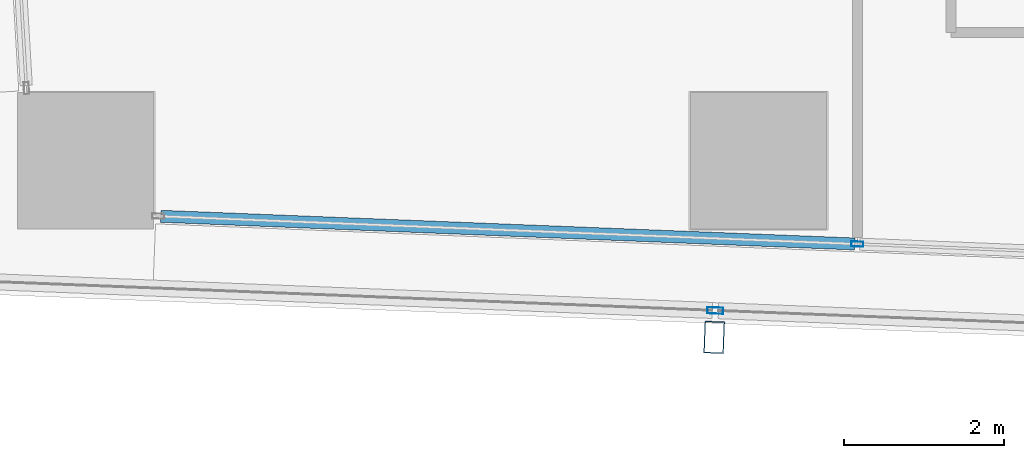
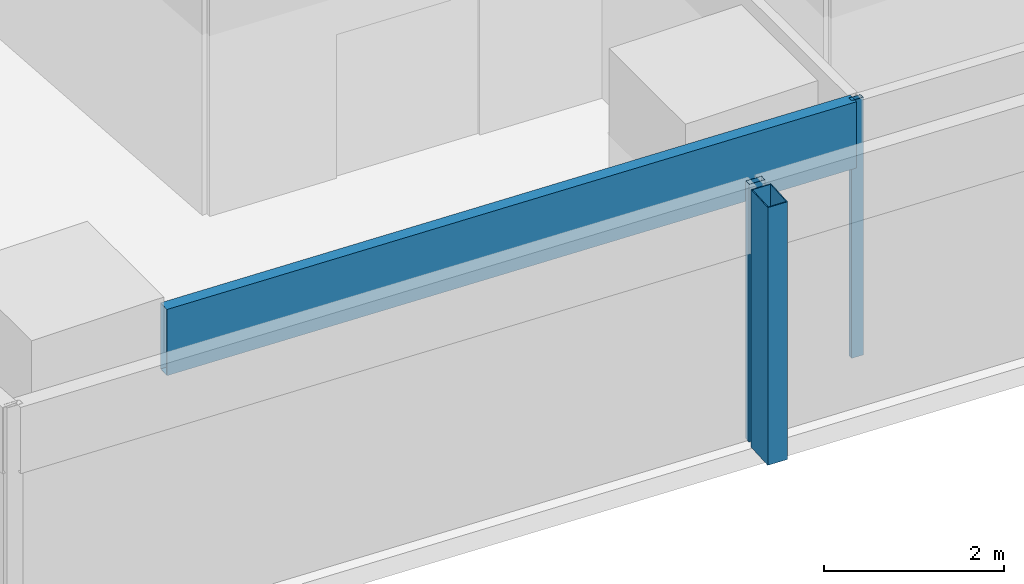
# One storey, part 3 of 34: 4 members, 2 elements without a shape of their own.
"""IFC4 building model written with IfcOpenShell, lengths in metres."""

from ifc_helpers import new_model, si_unit, direction, frame, origin, origin_2d, place, context, subcontext, project, spatial, hollow_rectangle, extrude, material, material_profile, profile_set, type_object, element, aggregate, save


model = new_model("IFC4")

# Units and contexts
model_context = context("Model", 3, precision=1e-05, world=origin(), true_north=direction((0.0, 1.0)))
body_context = subcontext(model_context, "Body", "Model", "MODEL_VIEW")
ifc_project = project(units=[si_unit("LENGTHUNIT", "METRE"), si_unit("AREAUNIT", "SQUARE_METRE"), si_unit("VOLUMEUNIT", "CUBIC_METRE"), si_unit("PLANEANGLEUNIT", "RADIAN"), si_unit("MASSUNIT", "GRAM", prefix="KILO")], contexts=[model_context])

# Site, building, storey
site_placement = place(None, origin())
site = spatial("IfcSite", under=ifc_project, at=site_placement, CompositionType="ELEMENT")
building_placement = place(site_placement, origin())
building = spatial("IfcBuilding", under=site, at=building_placement, Name="Rekha Terrace Tower", CompositionType="ELEMENT")
storey_placement = place(building_placement, frame((0.0, 0.0, 176.449951171875)))
storey = spatial("IfcBuildingStorey", under=building, at=storey_placement, Name="L44", CompositionType="ELEMENT", Elevation=176.449951171875)

# Curtain wall, member
ifc_material_1 = material(Name="Aluminium framing", Category="aluminium")
curtain_wall_type_1 = type_object("IfcCurtainWallType", Name="CW2 double skin outer glazing", PredefinedType="USERDEFINED", material=ifc_material_1)
curtain_wall_1_placement = place(storey_placement, origin())
curtain_wall_1 = element("IfcCurtainWall", 1, at=curtain_wall_1_placement, inside=storey, type_object=curtain_wall_type_1, Name="CW2 double skin outer glazing", ObjectType="DOUBLE SKIN OUTER GLAZING", PredefinedType="USERDEFINED")
ifc_material_2 = material(Name="Steel S355 with fluorocarbon finish", Category="steel")
ifc_material_profile_1 = material_profile(ifc_material_2, hollow_rectangle(XDim=0.25, YDim=0.39990234375, WallThickness=0.012451171875, at=origin_2d()), Name="RHS400x250x12.5")
ifc_profile_set_1 = profile_set([ifc_material_profile_1], Name="Steel S355 with fluorocarbon finish")
member_type_1 = type_object("IfcMemberType", Name="BL1 facade blade RHS 400 x 250", PredefinedType="USERDEFINED", material=ifc_profile_set_1)
member_1_placement = place(storey_placement, frame((16.24658203125, 14.595947265625, 0.0), z_axis=(0.0, 0.0, 1.0), x_axis=(0.999204797763, -0.039871946621, 0.0)))
member_1 = element("IfcMember", 2, at=member_1_placement, type_object=member_type_1, Name="Facade blade", ObjectType="FACADE BLADE", PredefinedType="USERDEFINED", context=body_context, shape_type="SweptSolid", body=[
    extrude(hollow_rectangle(XDim=0.25, YDim=0.39990234375, WallThickness=0.012451171875, at=origin_2d()), origin(), (0.0, 0.0, 1.0), 3.5),
])

# Curtain wall, members
curtain_wall_type_2 = type_object("IfcCurtainWallType", Name="CW1 double skin inner glazing", PredefinedType="USERDEFINED", material=ifc_material_1)
curtain_wall_2_placement = place(storey_placement, origin())
curtain_wall_2 = element("IfcCurtainWall", 3, at=curtain_wall_2_placement, inside=storey, type_object=curtain_wall_type_2, Name="CW1 double skin inner glazing", ObjectType="DOUBLE SKIN INNER GLAZING", PredefinedType="USERDEFINED")
ifc_material_3 = material(Name="Aluminium mullion section", Category="aluminium")
ifc_material_profile_2 = material_profile(ifc_material_3, hollow_rectangle(XDim=0.06494140625, YDim=0.14990234375, WallThickness=0.00390625, at=origin_2d()), Name="AL RHS 65x150")
ifc_profile_set_2 = profile_set([ifc_material_profile_2], Name="Aluminium mullion section")
member_type_2 = type_object("IfcMemberType", Name="CW1 mullion RHS 65 x 150", PredefinedType="MULLION", material=ifc_profile_set_2)
member_2_placement = place(storey_placement, frame((18.033203125, 15.760498046875, 0.0), z_axis=(0.0, 0.0, 1.0), x_axis=(0.039872497044, 0.999204775799, 0.0)))
member_2 = element("IfcMember", 4, at=member_2_placement, type_object=member_type_2, Name="CW1 mullion 2", PredefinedType="MULLION", context=body_context, shape_type="SweptSolid", body=[
    extrude(hollow_rectangle(XDim=0.06494140625, YDim=0.14990234375, WallThickness=0.00390625, at=origin_2d()), origin(), (0.0, 0.0, 1.0), 3.5),
])
ifc_material_4 = material(Name="Insulated aluminium spandrel box", Category="aluminium")
ifc_material_profile_3 = material_profile(ifc_material_4, hollow_rectangle(XDim=0.14990234375, YDim=0.89990234375, WallThickness=0.0029296875, at=origin_2d()), Name="AL SPANDREL BOX 150x900")
ifc_profile_set_3 = profile_set([ifc_material_profile_3], Name="Insulated aluminium spandrel box")
member_type_3 = type_object("IfcMemberType", Name="CW1 spandrel transom 150 x 900", PredefinedType="USERDEFINED", material=ifc_profile_set_3)
member_3_placement = place(storey_placement, frame((9.338623046875, 16.107421875, 3.050048828125), z_axis=(0.999205675486, -0.039849944499, 0.0), x_axis=(0.039849944499, 0.999205675486, 0.0)))
member_3 = element("IfcMember", 5, at=member_3_placement, type_object=member_type_3, Name="CW1 spandrel transom 1", ObjectType="TRANSOM", PredefinedType="USERDEFINED", context=body_context, shape_type="SweptSolid", body=[
    extrude(hollow_rectangle(XDim=0.14990234375, YDim=0.89990234375, WallThickness=0.0029296875, at=origin_2d()), origin(), (0.0, 0.0, 1.0), 8.6689453125),
])
aggregate(curtain_wall_2, [member_2, member_3])

# Member
ifc_material_profile_4 = material_profile(ifc_material_3, hollow_rectangle(XDim=0.080078125, YDim=0.199951171875, WallThickness=0.00390625, at=origin_2d()), Name="AL RHS 80x200")
ifc_profile_set_4 = profile_set([ifc_material_profile_4], Name="Aluminium mullion section")
member_type_4 = type_object("IfcMemberType", Name="CW2 mullion RHS 80 x 200", PredefinedType="MULLION", material=ifc_profile_set_4)
member_4_placement = place(storey_placement, frame((16.259765625, 14.9306640625, 0.0), z_axis=(0.0, 0.0, 1.0), x_axis=(0.039872497044, 0.999204775799, 0.0)))
member_4 = element("IfcMember", 6, at=member_4_placement, type_object=member_type_4, Name="CW2 mullion 2", PredefinedType="MULLION", context=body_context, shape_type="SweptSolid", body=[
    extrude(hollow_rectangle(XDim=0.080078125, YDim=0.199951171875, WallThickness=0.00390625, at=origin_2d()), origin(), (0.0, 0.0, 1.0), 3.5),
])

aggregate(curtain_wall_1, [member_4, member_1])

save(model, "model.ifc")
